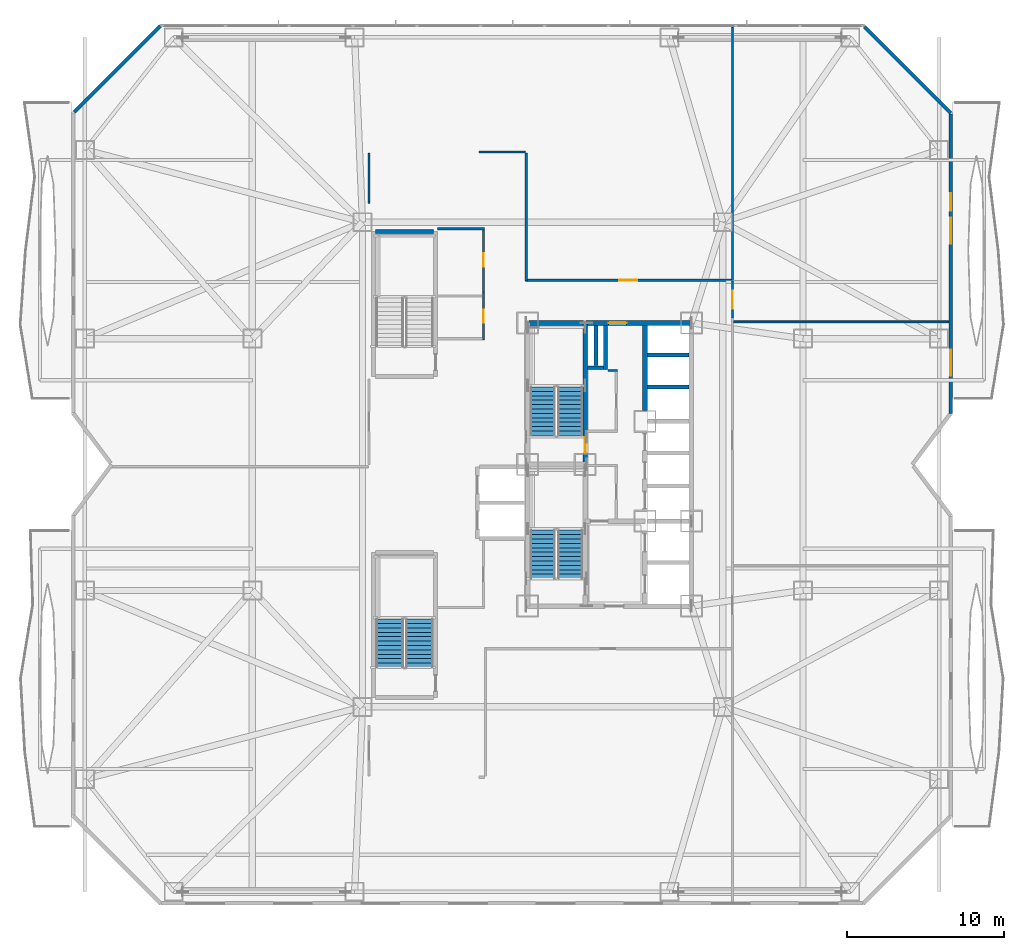
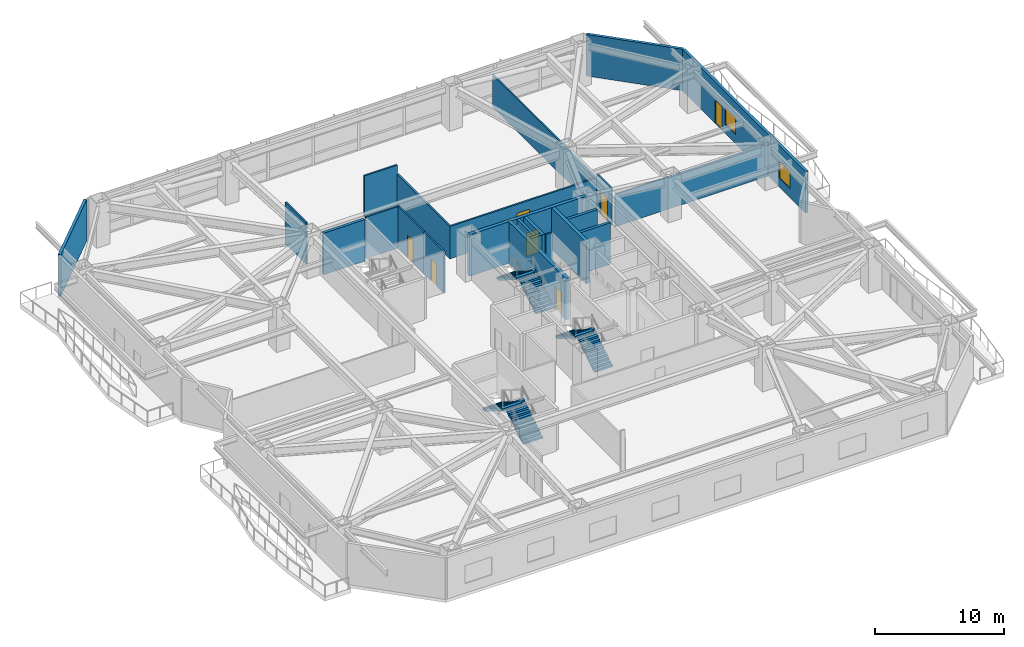
# One storey, part 18 of 25: 23 walls, 7 doors, 6 stair flights, 2 windows, 9 openings, 3 elements without a shape of their own.
"""IFC4 building model written with IfcOpenShell, lengths in metres."""

from ifc_helpers import new_model, si_unit, direction, frame, frame_2d, origin, place, context, subcontext, project, spatial, polyline, rectangle, outline, extrude, material, layer, layer_set, type_object, element, fill, aggregate, save


model = new_model("IFC4")

# Units and contexts
model_context = context("Model", 3, precision=1e-05, world=origin(), true_north=direction((0.0, 1.0)))
body_context = subcontext(model_context, "Body", "Model", "MODEL_VIEW")
ifc_project = project(units=[si_unit("LENGTHUNIT", "METRE"), si_unit("AREAUNIT", "SQUARE_METRE"), si_unit("VOLUMEUNIT", "CUBIC_METRE"), si_unit("PLANEANGLEUNIT", "RADIAN"), si_unit("MASSUNIT", "GRAM", prefix="KILO")], contexts=[model_context])

# Site, building, storey
site_placement = place(None, origin())
site = spatial("IfcSite", under=ifc_project, at=site_placement, CompositionType="ELEMENT")
building_placement = place(site_placement, origin())
building = spatial("IfcBuilding", under=site, at=building_placement, Name="Khamvora Tower", CompositionType="ELEMENT")
storey_placement = place(building_placement, frame((0.0, 0.0, 16.199951171875)))
storey = spatial("IfcBuildingStorey", under=building, at=storey_placement, Name="L03", CompositionType="ELEMENT", Elevation=16.199951171875)

# Wall, opening, door
ifc_material_1 = material(Name="Concrete C50/60", Category="concrete")
ifc_layer_1 = layer(ifc_material_1, 0.300048828125)
ifc_layer_set_1 = layer_set([ifc_layer_1], Name="Concrete C50/60")
wall_type_1 = type_object("IfcWallType", Name="WAL-CORE-300", PredefinedType="SHEAR", material=ifc_layer_set_1)
wall_1_placement = place(storey_placement, frame((29.0, 37.0, 0.0), z_axis=(0.0, 0.0, 1.0), x_axis=(1.0, 0.0, 0.0)))
wall_1 = element("IfcWall", 1, at=wall_1_placement, inside=storey, type_object=wall_type_1, Name="L03 central core north wall", PredefinedType="SHEAR", context=body_context, shape_type="SweptSolid", body=[
    extrude(rectangle(XDim=10.39990234375, YDim=0.300048828125, at=frame_2d((5.199951171875, 0.0))), origin(), (0.0, 0.0, 1.0), 3.920166015625),
])
opening_1_placement = place(wall_1_placement, frame((5.139892578125, 0.0, 0.0)))
opening_1 = element("IfcOpeningElement", 2, at=opening_1_placement, cuts=wall_1, Name="Opening D-SC1", PredefinedType="OPENING", context=body_context, shape_type="SweptSolid", body=[
    extrude(rectangle(XDim=1.14990234375, YDim=2.199951171875, at=frame_2d((0.574951171875, 1.10009765625))), frame((0.0, 0.159912109375, 0.0), z_axis=(0.0, -1.0, 0.0), x_axis=(1.0, 0.0, 0.0)), (0.0, 0.0, 1.0), 0.320068359375),
])
ifc_material_2 = material(Name="Powder-Coated Steel and Hardwood Leaf", Category="steel")
door_type_1 = type_object("IfcDoorType", Name="DOR-SCHL-1150", OperationType="NOTDEFINED", PredefinedType="DOOR", material=ifc_material_2)
door_1_placement = place(opening_1_placement, origin())
door_1 = element("IfcDoor", 3, at=door_1_placement, inside=storey, type_object=door_type_1, Name="L03 north core lobby to corridor fire door", OperationType="SINGLE_SWING_LEFT", OverallHeight=2.199951171875, OverallWidth=1.14990234375, PredefinedType="DOOR", context=body_context, shape_type="SweptSolid", body=[
    extrude(rectangle(XDim=1.14990234375, YDim=2.199951171875, at=frame_2d((0.574951171875, 1.10009765625))), frame((0.0, 0.02490234375, 0.0), z_axis=(0.0, -1.0, 0.0), x_axis=(1.0, 0.0, 0.0)), (0.0, 0.0, 1.0), 0.050048828125),
])
fill(opening_1, door_1)

wall_2_placement = place(storey_placement, frame((32.64990234375, 28.0, 0.0), z_axis=(0.0, 0.0, 1.0), x_axis=(0.0, 1.0, 0.0)))
wall_2 = element("IfcWall", 4, at=wall_2_placement, inside=storey, type_object=wall_type_1, Name="L03 central core stair north spine wall", PredefinedType="SHEAR", context=body_context, shape_type="SweptSolid", body=[
    extrude(rectangle(XDim=9.0, YDim=0.300048828125, at=frame_2d((4.5, 0.0))), origin(), (0.0, 0.0, 1.0), 3.920166015625),
])
opening_2_placement = place(wall_2_placement, frame((0.719970703125, 0.0, 0.0)))
opening_2 = element("IfcOpeningElement", 5, at=opening_2_placement, cuts=wall_2, Name="Opening D-ST1", PredefinedType="OPENING", context=body_context, shape_type="SweptSolid", body=[
    extrude(rectangle(XDim=1.0, YDim=2.14990234375, at=frame_2d((0.5, 1.074951171875))), frame((0.0, 0.159912109375, 0.0), z_axis=(0.0, -1.0, 0.0), x_axis=(1.0, 0.0, 0.0)), (0.0, 0.0, 1.0), 0.320068359375),
])
door_type_2 = type_object("IfcDoorType", Name="DOR-STAIR-1000", OperationType="NOTDEFINED", PredefinedType="DOOR", material=ifc_material_2)
door_2_placement = place(opening_2_placement, origin())
door_2 = element("IfcDoor", 6, at=door_2_placement, inside=storey, type_object=door_type_2, Name="L03 exit stair ST-02 fire door", OperationType="SINGLE_SWING_RIGHT", OverallHeight=2.14990234375, OverallWidth=1.0, PredefinedType="DOOR", context=body_context, shape_type="SweptSolid", body=[
    extrude(rectangle(XDim=1.0, YDim=2.14990234375, at=frame_2d((0.5, 1.074951171875))), frame((0.0, 0.02490234375, 0.0), z_axis=(0.0, -1.0, 0.0), x_axis=(1.0, 0.0, 0.0)), (0.0, 0.0, 1.0), 0.050048828125),
])
fill(opening_2, door_2)

# Walls
wall_3_placement = place(storey_placement, frame((36.449951171875, 31.449951171875, 0.0), z_axis=(0.0, 0.0, 1.0), x_axis=(0.0, 1.0, 0.0)))
element("IfcWall", 7, at=wall_3_placement, inside=storey, type_object=wall_type_1, Name="L03 central core lift bank north wall", PredefinedType="SHEAR", context=body_context, shape_type="SweptSolid", body=[
    extrude(rectangle(XDim=5.39599609375, YDim=0.300048828125, at=frame_2d((2.697998046875, 0.0))), origin(), (0.0, 0.0, 1.0), 3.920166015625),
])
ifc_material_3 = material(Name="Fire-Rated Drywall and Steel Stud", Category="steel")
ifc_layer_2 = layer(ifc_material_3, 0.14990234375)
ifc_layer_set_2 = layer_set([ifc_layer_2], Name="Fire-Rated Drywall and Steel Stud")
wall_type_2 = type_object("IfcWallType", Name="WAL-CORR-150", PredefinedType="STANDARD", material=ifc_layer_set_2)
wall_4_placement = place(storey_placement, frame((34.699951171875, 33.97509765625, 0.0), z_axis=(0.0, 0.0, 1.0), x_axis=(-1.0, 0.0, 0.0)))
element("IfcWall", 8, at=wall_4_placement, inside=storey, type_object=wall_type_2, Name="L03 interior partition wall 003", PredefinedType="STANDARD", context=body_context, shape_type="SweptSolid", body=[
    extrude(rectangle(XDim=0.599853515625, YDim=0.14990234375, at=frame_2d((0.2998046875, 0.0))), origin(), (0.0, 0.0, 1.0), 3.920166015625),
])

# Wall, opening, door
wall_5_placement = place(storey_placement, frame((26.18505859375, 35.922119140625, 0.0), z_axis=(0.0, 0.0, 1.0), x_axis=(0.0, 1.0, 0.0)))
wall_5 = element("IfcWall", 9, at=wall_5_placement, inside=storey, type_object=wall_type_2, Name="L03 interior partition wall 009", PredefinedType="STANDARD", context=body_context, shape_type="SweptSolid", body=[
    extrude(rectangle(XDim=3.0419921875, YDim=0.14990234375, at=frame_2d((1.52099609375, 0.0))), origin(), (0.0, 0.0, 1.0), 3.920166015625),
])
opening_3_placement = place(wall_5_placement, frame((1.074951171875, 0.0, 0.0)))
opening_3 = element("IfcOpeningElement", 10, at=opening_3_placement, cuts=wall_5, Name="Opening D-WC1", PredefinedType="OPENING", context=body_context, shape_type="SweptSolid", body=[
    extrude(rectangle(XDim=0.85009765625, YDim=2.10009765625, at=frame_2d((0.425048828125, 1.050048828125))), frame((0.0, 0.0849609375, 0.0), z_axis=(0.0, -1.0, 0.0), x_axis=(1.0, 0.0, 0.0)), (0.0, 0.0, 1.0), 0.169921875),
])
door_type_3 = type_object("IfcDoorType", Name="DOR-WET-850", OperationType="NOTDEFINED", PredefinedType="DOOR", material=ifc_material_2)
door_3_placement = place(opening_3_placement, origin())
door_3 = element("IfcDoor", 11, at=door_3_placement, inside=storey, type_object=door_type_3, Name="L03 interior door SCOR-WCA", OperationType="SINGLE_SWING_LEFT", OverallHeight=2.10009765625, OverallWidth=0.85009765625, PredefinedType="DOOR", context=body_context, shape_type="SweptSolid", body=[
    extrude(rectangle(XDim=0.85009765625, YDim=2.10009765625, at=frame_2d((0.425048828125, 1.050048828125))), frame((0.0, 0.02490234375, 0.0), z_axis=(0.0, -1.0, 0.0), x_axis=(1.0, 0.0, 0.0)), (0.0, 0.0, 1.0), 0.050048828125),
])
fill(opening_3, door_3)

wall_6_placement = place(storey_placement, frame((26.18505859375, 38.964111328125, 0.0), z_axis=(0.0, 0.0, 1.0), x_axis=(0.0, 1.0, 0.0)))
wall_6 = element("IfcWall", 12, at=wall_6_placement, inside=storey, type_object=wall_type_2, Name="L03 interior partition wall 010", PredefinedType="STANDARD", context=body_context, shape_type="SweptSolid", body=[
    extrude(rectangle(XDim=4.0859375, YDim=0.14990234375, at=frame_2d((2.04296875, 0.0))), origin(), (0.0, 0.0, 1.0), 3.920166015625),
])
opening_4_placement = place(wall_6_placement, frame((1.617919921875, 0.0, 0.0)))
opening_4 = element("IfcOpeningElement", 13, at=opening_4_placement, cuts=wall_6, Name="Opening D-WC1", PredefinedType="OPENING", context=body_context, shape_type="SweptSolid", body=[
    extrude(rectangle(XDim=0.85009765625, YDim=2.10009765625, at=frame_2d((0.425048828125, 1.050048828125))), frame((0.0, 0.0849609375, 0.0), z_axis=(0.0, -1.0, 0.0), x_axis=(1.0, 0.0, 0.0)), (0.0, 0.0, 1.0), 0.169921875),
])
door_4_placement = place(opening_4_placement, origin())
door_4 = element("IfcDoor", 14, at=door_4_placement, inside=storey, type_object=door_type_3, Name="L03 interior door SCOR-WCF", OperationType="SINGLE_SWING_RIGHT", OverallHeight=2.10009765625, OverallWidth=0.85009765625, PredefinedType="DOOR", context=body_context, shape_type="SweptSolid", body=[
    extrude(rectangle(XDim=0.85009765625, YDim=2.10009765625, at=frame_2d((0.425048828125, 1.050048828125))), frame((0.0, 0.02490234375, 0.0), z_axis=(0.0, -1.0, 0.0), x_axis=(1.0, 0.0, 0.0)), (0.0, 0.0, 1.0), 0.050048828125),
])
fill(opening_4, door_4)

# Walls
wall_7_placement = place(storey_placement, frame((26.25, 42.985107421875, 0.0), z_axis=(0.0, 0.0, 1.0), x_axis=(-1.0, 0.0, 0.0)))
element("IfcWall", 15, at=wall_7_placement, inside=storey, type_object=wall_type_2, Name="L03 interior partition wall 011", PredefinedType="STANDARD", context=body_context, shape_type="SweptSolid", body=[
    extrude(rectangle(XDim=3.0, YDim=0.14990234375, at=frame_2d((1.5, 0.0))), origin(), (0.0, 0.0, 1.0), 3.920166015625),
])
wall_8_placement = place(storey_placement, frame((18.9150390625, 44.60009765625, 0.0), z_axis=(0.0, 0.0, 1.0), x_axis=(0.0, 1.0, 0.0)))
element("IfcWall", 16, at=wall_8_placement, inside=storey, type_object=wall_type_2, Name="L03 interior partition wall 014", PredefinedType="STANDARD", context=body_context, shape_type="SweptSolid", body=[
    extrude(rectangle(XDim=3.199951171875, YDim=0.14990234375, at=frame_2d((1.60009765625, 0.0))), origin(), (0.0, 0.0, 1.0), 3.920166015625),
])

# Wall, opening, door
wall_9_placement = place(storey_placement, frame((42.014892578125, 39.64990234375, 0.0), z_axis=(0.0, 0.0, 1.0), x_axis=(0.0, -1.0, 0.0)))
wall_9 = element("IfcWall", 17, at=wall_9_placement, inside=storey, type_object=wall_type_2, Name="L03 interior partition wall 017", PredefinedType="STANDARD", context=body_context, shape_type="SweptSolid", body=[
    extrude(rectangle(XDim=2.3359375, YDim=0.14990234375, at=frame_2d((1.16796875, 0.0))), origin(), (0.0, 0.0, 1.0), 3.447021484375),
])
opening_5_placement = place(wall_9_placement, frame((0.593017578125, 0.0, 0.0)))
opening_5 = element("IfcOpeningElement", 18, at=opening_5_placement, cuts=wall_9, Name="Opening D-SC1", PredefinedType="OPENING", context=body_context, shape_type="SweptSolid", body=[
    extrude(rectangle(XDim=1.14990234375, YDim=2.199951171875, at=frame_2d((0.574951171875, 1.10009765625))), frame((0.0, 0.0849609375, 0.0), z_axis=(0.0, -1.0, 0.0), x_axis=(1.0, 0.0, 0.0)), (0.0, 0.0, 1.0), 0.169921875),
])
door_5_placement = place(opening_5_placement, origin())
door_5 = element("IfcDoor", 19, at=door_5_placement, inside=storey, type_object=door_type_1, Name="L03 interior door SCOR-CL3", OperationType="SINGLE_SWING_LEFT", OverallHeight=2.199951171875, OverallWidth=1.14990234375, PredefinedType="DOOR", context=body_context, shape_type="SweptSolid", body=[
    extrude(rectangle(XDim=1.14990234375, YDim=2.199951171875, at=frame_2d((0.574951171875, 1.10009765625))), frame((0.0, 0.02490234375, 0.0), z_axis=(0.0, -1.0, 0.0), x_axis=(1.0, 0.0, 0.0)), (0.0, 0.0, 1.0), 0.050048828125),
])
fill(opening_5, door_5)

# Walls
wall_10_placement = place(storey_placement, frame((25.910888671875, 47.864990234375, 0.0), z_axis=(0.0, 0.0, 1.0), x_axis=(1.0, 0.0, 0.0)))
element("IfcWall", 20, at=wall_10_placement, inside=storey, type_object=wall_type_2, Name="L03 interior partition wall 021", PredefinedType="STANDARD", context=body_context, shape_type="SweptSolid", body=[
    extrude(rectangle(XDim=2.939208984375, YDim=0.14990234375, at=frame_2d((1.4697265625, 0.0))), origin(), (0.0, 0.0, 1.0), 3.920166015625),
])
wall_11_placement = place(storey_placement, frame((28.9150390625, 47.800048828125, 0.0), z_axis=(0.0, 0.0, 1.0), x_axis=(0.0, -1.0, 0.0)))
element("IfcWall", 21, at=wall_11_placement, inside=storey, type_object=wall_type_2, Name="L03 interior partition wall 022", PredefinedType="STANDARD", context=body_context, shape_type="SweptSolid", body=[
    extrude(rectangle(XDim=8.150146484375, YDim=0.14990234375, at=frame_2d((4.0751953125, 0.0))), origin(), (0.0, 0.0, 1.0), 3.054931640625),
])

# Wall, opening, door
wall_12_placement = place(storey_placement, frame((28.85205078125, 39.715087890625, 0.0), z_axis=(0.0, 0.0, 1.0), x_axis=(1.0, 0.0, 0.0)))
wall_12 = element("IfcWall", 22, at=wall_12_placement, inside=storey, type_object=wall_type_2, Name="L03 interior partition wall 023", PredefinedType="STANDARD", context=body_context, shape_type="SweptSolid", body=[
    extrude(rectangle(XDim=13.097900390625, YDim=0.14990234375, at=frame_2d((6.548828125, 0.0))), origin(), (0.0, 0.0, 1.0), 3.054931640625),
])
opening_6_placement = place(wall_12_placement, frame((5.97412109375, 0.0, 0.0)))
opening_6 = element("IfcOpeningElement", 23, at=opening_6_placement, cuts=wall_12, Name="Opening D-SC1", PredefinedType="OPENING", context=body_context, shape_type="SweptSolid", body=[
    extrude(rectangle(XDim=1.14990234375, YDim=2.199951171875, at=frame_2d((0.574951171875, 1.10009765625))), frame((0.0, 0.0849609375, 0.0), z_axis=(0.0, -1.0, 0.0), x_axis=(1.0, 0.0, 0.0)), (0.0, 0.0, 1.0), 0.169921875),
])
door_6_placement = place(opening_6_placement, origin())
door_6 = element("IfcDoor", 24, at=door_6_placement, inside=storey, type_object=door_type_1, Name="L03 interior door SCOR-SEM", OperationType="SINGLE_SWING_LEFT", OverallHeight=2.199951171875, OverallWidth=1.14990234375, PredefinedType="DOOR", context=body_context, shape_type="SweptSolid", body=[
    extrude(rectangle(XDim=1.14990234375, YDim=2.199951171875, at=frame_2d((0.574951171875, 1.10009765625))), frame((0.0, 0.02490234375, 0.0), z_axis=(0.0, -1.0, 0.0), x_axis=(1.0, 0.0, 0.0)), (0.0, 0.0, 1.0), 0.050048828125),
])
fill(opening_6, door_6)

# Walls
ifc_material_4 = material(Name="Precast concrete C40/50", Category="concrete")
ifc_layer_3 = layer(ifc_material_4, 0.239990234375)
ifc_layer_set_3 = layer_set([ifc_layer_3], Name="Precast concrete C40/50")
wall_type_3 = type_object("IfcWallType", Name="WAL-EXT-240", PredefinedType="STANDARD", material=ifc_layer_set_3)
for number, where, z_axis, x_axis, name in (
    (25, (0.175048828125, 50.405029296875, 0.0), (0.0, 0.0, 1.0), (0.707106781187, 0.707106781187, 0.0), "L03 exterior facade wall 06.1"),
    (26, (50.405029296875, 55.824951171875, 0.0), (0.0, 0.0, 1.0), (0.707106781187, -0.707106781187, 0.0), "L03 exterior facade wall 08.1"),
):
    element("IfcWall", number, at=place(storey_placement, frame(where, z_axis=z_axis, x_axis=x_axis)), inside=storey, type_object=wall_type_3, Name=name, PredefinedType="STANDARD", context=body_context, shape_type="SweptSolid", body=[
        extrude(rectangle(XDim=7.74267578125, YDim=0.239990234375, at=frame_2d((3.871337890625, 0.0))), origin(), (0.0, 0.0, 1.0), 3.920166015625),
    ])

# Wall, openings, door, windows
wall_13_placement = place(storey_placement, frame((55.8798828125, 50.27197265625, 0.0), z_axis=(0.0, 0.0, 1.0), x_axis=(0.0, -1.0, 0.0)))
wall_13 = element("IfcWall", 27, at=wall_13_placement, inside=storey, type_object=wall_type_3, Name="L03 exterior facade wall 09.1", PredefinedType="STANDARD", context=body_context, shape_type="SweptSolid", body=[
    extrude(rectangle(XDim=19.031982421875, YDim=0.239990234375, at=frame_2d((9.51611328125, 0.0))), origin(), (0.0, 0.0, 1.0), 3.920166015625),
])
opening_7_placement = place(wall_13_placement, frame((5.032958984375, 0.0, 0.0)))
opening_7 = element("IfcOpeningElement", 28, at=opening_7_placement, cuts=wall_13, Name="Opening BD-01", PredefinedType="OPENING", context=body_context, shape_type="SweptSolid", body=[
    extrude(rectangle(XDim=1.10009765625, YDim=2.199951171875, at=frame_2d((0.550048828125, 1.10009765625))), frame((0.0, 0.1298828125, 0.0), z_axis=(0.0, -1.0, 0.0), x_axis=(1.0, 0.0, 0.0)), (0.0, 0.0, 1.0), 0.260009765625),
])
opening_8_placement = place(wall_13_placement, frame((14.97705078125, 0.0, 0.85009765625)))
opening_8 = element("IfcOpeningElement", 29, at=opening_8_placement, cuts=wall_13, Name="Opening WN-06", PredefinedType="OPENING", context=body_context, shape_type="SweptSolid", body=[
    extrude(rectangle(XDim=1.64990234375, YDim=1.550048828125, at=frame_2d((0.824951171875, 0.77490234375))), frame((0.0, 0.1298828125, 0.0), z_axis=(0.0, -1.0, 0.0), x_axis=(1.0, 0.0, 0.0)), (0.0, 0.0, 1.0), 0.260009765625),
])
opening_9_placement = place(wall_13_placement, frame((6.591064453125, 0.0, 0.85009765625)))
opening_9 = element("IfcOpeningElement", 30, at=opening_9_placement, cuts=wall_13, Name="Opening WN-06", PredefinedType="OPENING", context=body_context, shape_type="SweptSolid", body=[
    extrude(rectangle(XDim=1.64990234375, YDim=1.550048828125, at=frame_2d((0.824951171875, 0.77490234375))), frame((0.0, 0.1298828125, 0.0), z_axis=(0.0, -1.0, 0.0), x_axis=(1.0, 0.0, 0.0)), (0.0, 0.0, 1.0), 0.260009765625),
])
ifc_material_5 = material(Name="Anodised Aluminium and Laminated Safety Glass", Category="aluminium")
door_type_4 = type_object("IfcDoorType", Name="DOR-BAL-1100", OperationType="NOTDEFINED", PredefinedType="DOOR", material=ifc_material_5)
door_7_placement = place(opening_7_placement, origin())
door_7 = element("IfcDoor", 31, at=door_7_placement, inside=storey, type_object=door_type_4, Name="L03 lens gallery balcony door EL2", OperationType="SLIDING_TO_LEFT", OverallHeight=2.199951171875, OverallWidth=1.10009765625, PredefinedType="DOOR", context=body_context, shape_type="SweptSolid", body=[
    extrude(rectangle(XDim=1.10009765625, YDim=2.199951171875, at=frame_2d((0.550048828125, 1.10009765625))), frame((0.0, 0.02490234375, 0.0), z_axis=(0.0, -1.0, 0.0), x_axis=(1.0, 0.0, 0.0)), (0.0, 0.0, 1.0), 0.050048828125),
])
fill(opening_7, door_7)
ifc_material_6 = material(Name="Low-E Laminated Double Glazing", Category="glass")
window_type = type_object("IfcWindowType", Name="WIN-VIS-1650x1550", PartitioningType="SINGLE_PANEL", PredefinedType="WINDOW", material=ifc_material_6)
window_1_placement = place(opening_8_placement, origin())
window_1 = element("IfcWindow", 32, at=window_1_placement, inside=storey, type_object=window_type, Name="L03 vision window 09.1.01", OverallHeight=1.550048828125, OverallWidth=1.64990234375, PartitioningType="SINGLE_PANEL", PredefinedType="WINDOW", context=body_context, shape_type="SweptSolid", body=[
    extrude(rectangle(XDim=1.64990234375, YDim=1.550048828125, at=frame_2d((0.824951171875, 0.77490234375))), frame((0.0, 0.030029296875, 0.0), z_axis=(0.0, -1.0, 0.0), x_axis=(1.0, 0.0, 0.0)), (0.0, 0.0, 1.0), 0.06005859375),
])
fill(opening_8, window_1)
window_2_placement = place(opening_9_placement, origin())
window_2 = element("IfcWindow", 33, at=window_2_placement, inside=storey, type_object=window_type, Name="L03 vision window 09.1.02", OverallHeight=1.550048828125, OverallWidth=1.64990234375, PartitioningType="SINGLE_PANEL", PredefinedType="WINDOW", context=body_context, shape_type="SweptSolid", body=[
    extrude(rectangle(XDim=1.64990234375, YDim=1.550048828125, at=frame_2d((0.824951171875, 0.77490234375))), frame((0.0, 0.030029296875, 0.0), z_axis=(0.0, -1.0, 0.0), x_axis=(1.0, 0.0, 0.0)), (0.0, 0.0, 1.0), 0.06005859375),
])
fill(opening_9, window_2)

# Walls
ifc_material_7 = material(Name="Gypsum Plasterboard Partition", Category="gypsum")
ifc_layer_4 = layer(ifc_material_7, 0.1201171875)
ifc_layer_set_4 = layer_set([ifc_layer_4], Name="Gypsum Plasterboard Partition")
wall_type_4 = type_object("IfcWallType", Name="WAL-PART-120", PredefinedType="PARTITIONING", material=ifc_layer_set_4)
wall_14_placement = place(storey_placement, frame((42.08203125, 37.06494140625, 0.0), z_axis=(0.0, 0.0, 1.0), x_axis=(1.0, 0.0, 0.0)))
element("IfcWall", 34, at=wall_14_placement, inside=storey, type_object=wall_type_4, Name="L03 interior partition wall 028", PredefinedType="PARTITIONING", context=body_context, shape_type="SweptSolid", body=[
    extrude(rectangle(XDim=13.68603515625, YDim=0.1201171875, at=frame_2d((6.843017578125, 0.0))), origin(), (0.0, 0.0, 1.0), 3.054931640625),
])
wall_15_placement = place(storey_placement, frame((42.014892578125, 39.64990234375, 0.0), z_axis=(0.0, 0.0, 1.0), x_axis=(0.0, 1.0, 0.0)))
element("IfcWall", 35, at=wall_15_placement, inside=storey, type_object=wall_type_4, Name="L03 interior partition wall 029", PredefinedType="PARTITIONING", context=body_context, shape_type="SweptSolid", body=[
    extrude(rectangle(XDim=16.128173828125, YDim=0.1201171875, at=frame_2d((8.06396484375, 0.0))), origin(), (0.0, 0.0, 1.0), 3.054931640625),
])
ifc_material_8 = material(Name="Concrete C40/50", Category="concrete")
ifc_layer_5 = layer(ifc_material_8, 0.25)
ifc_layer_set_5 = layer_set([ifc_layer_5], Name="Concrete C40/50")
wall_type_5 = type_object("IfcWallType", Name="WAL-PODS-250", PredefinedType="SHEAR", material=ifc_layer_set_5)
for number, where, z_axis, x_axis, name in (
    (36, (36.60400390625, 32.925048828125, 0.0), (0.0, 0.0, 1.0), (1.0, 0.0, 0.0), "L03 lift shaft divider wall PH-01"),
    (37, (36.60400390625, 34.97509765625, 0.0), (0.0, 0.0, 1.0), (1.0, 0.0, 0.0), "L03 lift shaft divider wall PH-02"),
):
    element("IfcWall", number, at=place(storey_placement, frame(where, z_axis=z_axis, x_axis=x_axis)), inside=storey, type_object=wall_type_5, Name=name, PredefinedType="SHEAR", context=body_context, shape_type="SweptSolid", body=[
        extrude(rectangle(XDim=2.64208984375, YDim=0.25, at=frame_2d((1.321044921875, 0.0))), origin(), (0.0, 0.0, 1.0), 3.920166015625),
    ])
wall_16_placement = place(storey_placement, frame((33.955078125, 34.02490234375, 0.0), z_axis=(0.0, 0.0, 1.0), x_axis=(0.0, 1.0, 0.0)))
element("IfcWall", 38, at=wall_16_placement, inside=storey, type_object=wall_type_5, Name="L03 vertical MEP riser shaft east enclosure wall", PredefinedType="SHEAR", context=body_context, shape_type="SweptSolid", body=[
    extrude(rectangle(XDim=2.821044921875, YDim=0.25, at=frame_2d((1.41064453125, 0.0))), origin(), (0.0, 0.0, 1.0), 3.920166015625),
])
wall_17_placement = place(storey_placement, frame((32.803955078125, 34.14990234375, 0.0), z_axis=(0.0, 0.0, 1.0), x_axis=(1.0, 0.0, 0.0)))
element("IfcWall", 39, at=wall_17_placement, inside=storey, type_object=wall_type_5, Name="L03 vertical MEP riser shaft south enclosure wall", PredefinedType="SHEAR", context=body_context, shape_type="SweptSolid", body=[
    extrude(rectangle(XDim=1.02197265625, YDim=0.25, at=frame_2d((0.510986328125, 0.0))), origin(), (0.0, 0.0, 1.0), 3.920166015625),
])
wall_18_placement = place(storey_placement, frame((33.340087890625, 34.279052734375, 0.0), z_axis=(0.0, 0.0, 1.0), x_axis=(0.0, 1.0, 0.0)))
element("IfcWall", 40, at=wall_18_placement, inside=storey, type_object=wall_type_5, Name="L03 vertical MEP riser shaft divider enclosure wall", PredefinedType="SHEAR", context=body_context, shape_type="SweptSolid", body=[
    extrude(rectangle(XDim=2.56689453125, YDim=0.25, at=frame_2d((1.283447265625, 0.0))), origin(), (0.0, 0.0, 1.0), 3.920166015625),
])
wall_19_placement = place(storey_placement, frame((19.3291015625, 42.800048828125, 0.0), z_axis=(0.0, 0.0, 1.0), x_axis=(1.0, 0.0, 0.0)))
element("IfcWall", 41, at=wall_19_placement, inside=storey, type_object=wall_type_5, Name="L03 podium stair core wall st4 n", PredefinedType="SHEAR", context=body_context, shape_type="SweptSolid", body=[
    extrude(rectangle(XDim=3.69189453125, YDim=0.25, at=frame_2d((1.845947265625, 0.0))), origin(), (0.0, 0.0, 1.0), 3.920166015625),
])

# Stair, stair flights
stair_type_1 = type_object("IfcStairType", Name="STR-ST-01", PredefinedType="HALF_TURN_STAIR", material=ifc_material_8)
stair_1_placement = place(storey_placement, origin())
stair_1 = element("IfcStair", 42, at=stair_1_placement, inside=storey, type_object=stair_type_1, Name="L03 South Tower Exit Stair ST-01", PredefinedType="HALF_TURN_STAIR")
stair_flight_type_1 = type_object("IfcStairFlightType", Name="STF-ST-01", PredefinedType="STRAIGHT", material=ifc_material_8)
stair_flight_1_placement = place(storey_placement, frame((31.699951171875, 20.75, 0.0), z_axis=(0.0, 0.0, 1.0), x_axis=(0.0, 1.0, 0.0)))
stair_flight_1 = element("IfcStairFlight", 43, at=stair_flight_1_placement, type_object=stair_flight_type_1, Name="ST-01 flight 1", NumberOfRisers=12, NumberOfTreads=11, PredefinedType="STRAIGHT", RiserHeight=0.175, TreadLength=0.28, context=body_context, shape_type="SweptSolid", body=[
    extrude(outline(polyline([(0.0, 0.0), (0.0, 0.175048828125), (0.280029296875, 0.175048828125), (0.280029296875, 0.35009765625), (0.56005859375, 0.35009765625), (0.56005859375, 0.52490234375), (0.840087890625, 0.52490234375), (0.840087890625, 0.699951171875), (1.1201171875, 0.699951171875), (1.1201171875, 0.875), (1.39990234375, 0.875), (1.39990234375, 1.050048828125), (1.679931640625, 1.050048828125), (1.679931640625, 1.22509765625), (1.9599609375, 1.22509765625), (1.9599609375, 1.39990234375), (2.239990234375, 1.39990234375), (2.239990234375, 1.574951171875), (2.52001953125, 1.574951171875), (2.52001953125, 1.75), (2.800048828125, 1.75), (2.800048828125, 1.925048828125), (3.080078125, 1.925048828125), (3.080078125, 2.10009765625), (3.080078125, 1.748291015625), (0.28271484375, 0.0), (0.0, 0.0)])), frame((0.0, 0.800048828125, 0.0), z_axis=(0.0, -1.0, 0.0), x_axis=(1.0, 0.0, 0.0)), (0.0, 0.0, 1.0), 1.60009765625),
])
stair_flight_2_placement = place(storey_placement, frame((29.949951171875, 23.830078125, 2.10009765625), z_axis=(0.0, 0.0, 1.0), x_axis=(0.0, -1.0, 0.0)))
stair_flight_2 = element("IfcStairFlight", 44, at=stair_flight_2_placement, type_object=stair_flight_type_1, Name="ST-01 flight 2", NumberOfRisers=12, NumberOfTreads=11, PredefinedType="STRAIGHT", RiserHeight=0.175, TreadLength=0.28, context=body_context, shape_type="SweptSolid", body=[
    extrude(outline(polyline([(0.0, 0.0), (0.0, 0.175048828125), (0.280029296875, 0.175048828125), (0.280029296875, 0.35009765625), (0.56005859375, 0.35009765625), (0.56005859375, 0.52490234375), (0.840087890625, 0.52490234375), (0.840087890625, 0.699951171875), (1.1201171875, 0.699951171875), (1.1201171875, 0.875), (1.39990234375, 0.875), (1.39990234375, 1.050048828125), (1.679931640625, 1.050048828125), (1.679931640625, 1.22509765625), (1.9599609375, 1.22509765625), (1.9599609375, 1.39990234375), (2.239990234375, 1.39990234375), (2.239990234375, 1.574951171875), (2.52001953125, 1.574951171875), (2.52001953125, 1.75), (2.800048828125, 1.75), (2.800048828125, 1.925048828125), (3.080078125, 1.925048828125), (3.080078125, 2.10009765625), (3.080078125, 1.748291015625), (0.28271484375, 0.0), (0.0, 0.0)])), frame((0.0, 0.800048828125, 0.0), z_axis=(0.0, -1.0, 0.0), x_axis=(1.0, 0.0, 0.0)), (0.0, 0.0, 1.0), 1.60009765625),
])
aggregate(stair_1, [stair_flight_1, stair_flight_2])

stair_type_2 = type_object("IfcStairType", Name="STR-ST-02", PredefinedType="HALF_TURN_STAIR", material=ifc_material_8)
stair_2_placement = place(storey_placement, origin())
stair_2 = element("IfcStair", 45, at=stair_2_placement, inside=storey, type_object=stair_type_2, Name="L03 North Tower Exit Stair ST-02", PredefinedType="HALF_TURN_STAIR")
stair_flight_type_2 = type_object("IfcStairFlightType", Name="STF-ST-02", PredefinedType="STRAIGHT", material=ifc_material_8)
stair_flight_3_placement = place(storey_placement, frame((31.699951171875, 29.85009765625, 0.0), z_axis=(0.0, 0.0, 1.0), x_axis=(0.0, 1.0, 0.0)))
stair_flight_3 = element("IfcStairFlight", 46, at=stair_flight_3_placement, type_object=stair_flight_type_2, Name="ST-02 flight 1", NumberOfRisers=12, NumberOfTreads=11, PredefinedType="STRAIGHT", RiserHeight=0.175, TreadLength=0.28, context=body_context, shape_type="SweptSolid", body=[
    extrude(outline(polyline([(0.0, 0.0), (0.0, 0.175048828125), (0.280029296875, 0.175048828125), (0.280029296875, 0.35009765625), (0.56005859375, 0.35009765625), (0.56005859375, 0.52490234375), (0.840087890625, 0.52490234375), (0.840087890625, 0.699951171875), (1.1201171875, 0.699951171875), (1.1201171875, 0.875), (1.39990234375, 0.875), (1.39990234375, 1.050048828125), (1.679931640625, 1.050048828125), (1.679931640625, 1.22509765625), (1.9599609375, 1.22509765625), (1.9599609375, 1.39990234375), (2.239990234375, 1.39990234375), (2.239990234375, 1.574951171875), (2.52001953125, 1.574951171875), (2.52001953125, 1.75), (2.800048828125, 1.75), (2.800048828125, 1.925048828125), (3.080078125, 1.925048828125), (3.080078125, 2.10009765625), (3.080078125, 1.748291015625), (0.28271484375, 0.0), (0.0, 0.0)])), frame((0.0, 0.800048828125, 0.0), z_axis=(0.0, -1.0, 0.0), x_axis=(1.0, 0.0, 0.0)), (0.0, 0.0, 1.0), 1.60009765625),
])
stair_flight_4_placement = place(storey_placement, frame((29.949951171875, 32.929931640625, 2.10009765625), z_axis=(0.0, 0.0, 1.0), x_axis=(0.0, -1.0, 0.0)))
stair_flight_4 = element("IfcStairFlight", 47, at=stair_flight_4_placement, type_object=stair_flight_type_2, Name="ST-02 flight 2", NumberOfRisers=12, NumberOfTreads=11, PredefinedType="STRAIGHT", RiserHeight=0.175, TreadLength=0.28, context=body_context, shape_type="SweptSolid", body=[
    extrude(outline(polyline([(0.0, 0.0), (0.0, 0.175048828125), (0.280029296875, 0.175048828125), (0.280029296875, 0.35009765625), (0.56005859375, 0.35009765625), (0.56005859375, 0.52490234375), (0.840087890625, 0.52490234375), (0.840087890625, 0.699951171875), (1.1201171875, 0.699951171875), (1.1201171875, 0.875), (1.39990234375, 0.875), (1.39990234375, 1.050048828125), (1.679931640625, 1.050048828125), (1.679931640625, 1.22509765625), (1.9599609375, 1.22509765625), (1.9599609375, 1.39990234375), (2.239990234375, 1.39990234375), (2.239990234375, 1.574951171875), (2.52001953125, 1.574951171875), (2.52001953125, 1.75), (2.800048828125, 1.75), (2.800048828125, 1.925048828125), (3.080078125, 1.925048828125), (3.080078125, 2.10009765625), (3.080078125, 1.748291015625), (0.28271484375, 0.0), (0.0, 0.0)])), frame((0.0, 0.800048828125, 0.0), z_axis=(0.0, -1.0, 0.0), x_axis=(1.0, 0.0, 0.0)), (0.0, 0.0, 1.0), 1.60009765625),
])
aggregate(stair_2, [stair_flight_3, stair_flight_4])

stair_type_3 = type_object("IfcStairType", Name="STR-ST-03", PredefinedType="HALF_TURN_STAIR", material=ifc_material_8)
stair_3_placement = place(storey_placement, origin())
stair_3 = element("IfcStair", 48, at=stair_3_placement, inside=storey, type_object=stair_type_3, Name="L03 South School Podium Stair ST-03", PredefinedType="HALF_TURN_STAIR")
stair_flight_type_3 = type_object("IfcStairFlightType", Name="STF-ST-03", PredefinedType="STRAIGHT", material=ifc_material_8)
stair_flight_5_placement = place(storey_placement, frame((22.125, 15.10009765625, 0.0), z_axis=(0.0, 0.0, 1.0), x_axis=(0.0, 1.0, 0.0)))
stair_flight_5 = element("IfcStairFlight", 49, at=stair_flight_5_placement, type_object=stair_flight_type_3, Name="ST-03 flight 1", NumberOfRisers=12, NumberOfTreads=11, PredefinedType="STRAIGHT", RiserHeight=0.175, TreadLength=0.28, context=body_context, shape_type="SweptSolid", body=[
    extrude(outline(polyline([(0.0, 0.0), (0.0, 0.175048828125), (0.280029296875, 0.175048828125), (0.280029296875, 0.35009765625), (0.56005859375, 0.35009765625), (0.56005859375, 0.52490234375), (0.840087890625, 0.52490234375), (0.840087890625, 0.699951171875), (1.1201171875, 0.699951171875), (1.1201171875, 0.875), (1.39990234375, 0.875), (1.39990234375, 1.050048828125), (1.679931640625, 1.050048828125), (1.679931640625, 1.22509765625), (1.9599609375, 1.22509765625), (1.9599609375, 1.39990234375), (2.239990234375, 1.39990234375), (2.239990234375, 1.574951171875), (2.52001953125, 1.574951171875), (2.52001953125, 1.75), (2.800048828125, 1.75), (2.800048828125, 1.925048828125), (3.080078125, 1.925048828125), (3.080078125, 2.10009765625), (3.080078125, 1.748291015625), (0.28271484375, 0.0), (0.0, 0.0)])), frame((0.0, 0.875, 0.0), z_axis=(0.0, -1.0, 0.0), x_axis=(1.0, 0.0, 0.0)), (0.0, 0.0, 1.0), 1.75),
])
stair_flight_6_placement = place(storey_placement, frame((20.22509765625, 18.179931640625, 2.10009765625), z_axis=(0.0, 0.0, 1.0), x_axis=(0.0, -1.0, 0.0)))
stair_flight_6 = element("IfcStairFlight", 50, at=stair_flight_6_placement, type_object=stair_flight_type_3, Name="ST-03 flight 2", NumberOfRisers=12, NumberOfTreads=11, PredefinedType="STRAIGHT", RiserHeight=0.175, TreadLength=0.28, context=body_context, shape_type="SweptSolid", body=[
    extrude(outline(polyline([(0.0, 0.0), (0.0, 0.175048828125), (0.280029296875, 0.175048828125), (0.280029296875, 0.35009765625), (0.56005859375, 0.35009765625), (0.56005859375, 0.52490234375), (0.840087890625, 0.52490234375), (0.840087890625, 0.699951171875), (1.1201171875, 0.699951171875), (1.1201171875, 0.875), (1.39990234375, 0.875), (1.39990234375, 1.050048828125), (1.679931640625, 1.050048828125), (1.679931640625, 1.22509765625), (1.9599609375, 1.22509765625), (1.9599609375, 1.39990234375), (2.239990234375, 1.39990234375), (2.239990234375, 1.574951171875), (2.52001953125, 1.574951171875), (2.52001953125, 1.75), (2.800048828125, 1.75), (2.800048828125, 1.925048828125), (3.080078125, 1.925048828125), (3.080078125, 2.10009765625), (3.080078125, 1.748291015625), (0.28271484375, 0.0), (0.0, 0.0)])), frame((0.0, 0.875, 0.0), z_axis=(0.0, -1.0, 0.0), x_axis=(1.0, 0.0, 0.0)), (0.0, 0.0, 1.0), 1.75),
])
aggregate(stair_3, [stair_flight_5, stair_flight_6])

save(model, "model.ifc")
